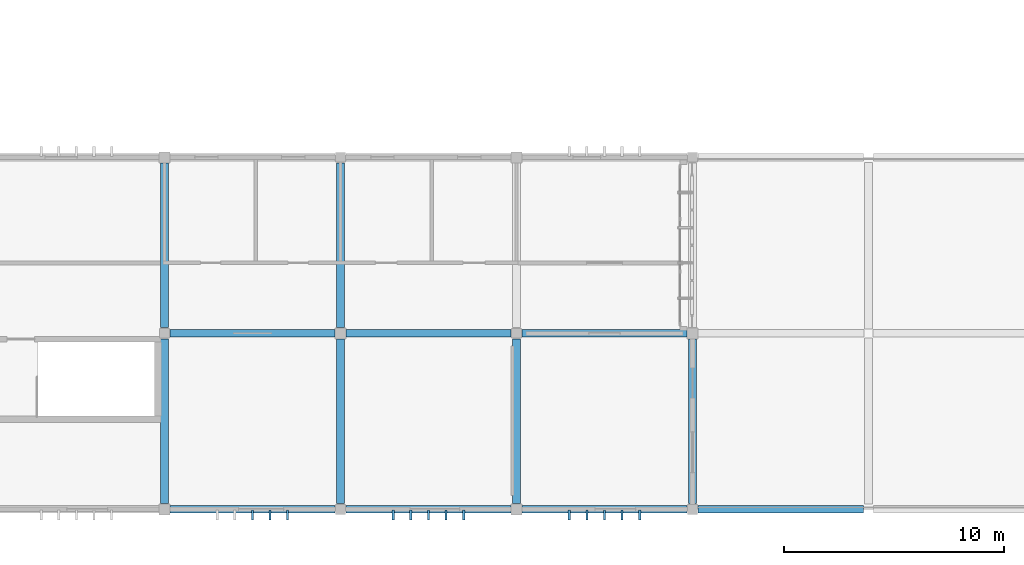
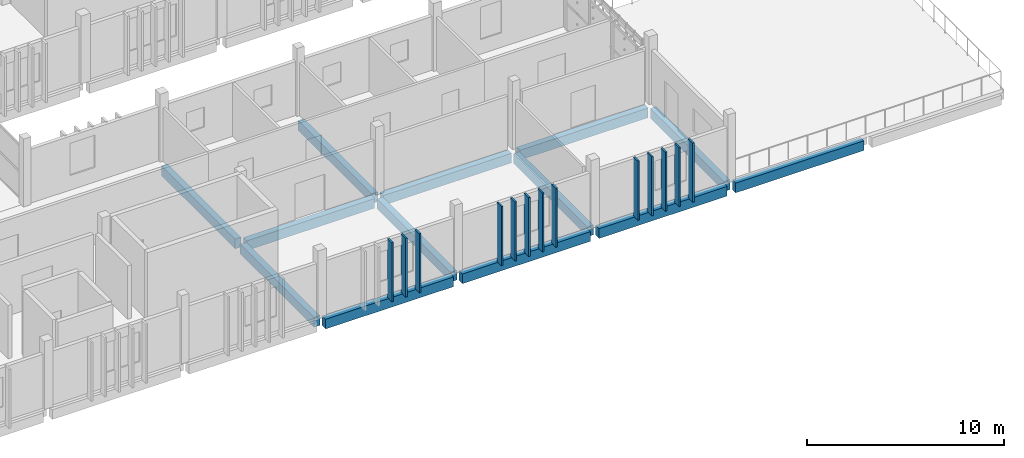
# One storey, part 11 of 32: 13 beams, 13 members.
"""IFC4 building model written with IfcOpenShell, lengths in metres."""

from ifc_helpers import new_model, si_unit, direction, frame, origin, origin_2d, place, context, subcontext, project, spatial, rectangle, extrude, material, material_profile, profile_set, type_object, element, save


model = new_model("IFC4")

# Units and contexts
model_context = context("Model", 3, precision=1e-05, world=origin(), true_north=direction((0.0, 1.0)))
body_context = subcontext(model_context, "Body", "Model", "MODEL_VIEW")
ifc_project = project(units=[si_unit("LENGTHUNIT", "METRE"), si_unit("AREAUNIT", "SQUARE_METRE"), si_unit("VOLUMEUNIT", "CUBIC_METRE"), si_unit("PLANEANGLEUNIT", "RADIAN"), si_unit("MASSUNIT", "GRAM", prefix="KILO")], contexts=[model_context])

# Site, building, storey
site_placement = place(None, origin())
site = spatial("IfcSite", under=ifc_project, at=site_placement, CompositionType="ELEMENT")
building_placement = place(site_placement, origin())
building = spatial("IfcBuilding", under=site, at=building_placement, Name="Jelvoka-Kovrelna Polytechnic", CompositionType="ELEMENT")
storey_placement = place(building_placement, frame((0.0, 0.0, 26.39990234375)))
storey = spatial("IfcBuildingStorey", under=building, at=storey_placement, Name="L07", CompositionType="ELEMENT", Elevation=26.39990234375)

# Beams
ifc_material_1 = material(Name="Concrete C35/45", Category="concrete")
ifc_material_profile_1 = material_profile(ifc_material_1, rectangle(XDim=0.35009765625, YDim=0.60009765625, at=origin_2d()), Name="RC 350x600")
ifc_profile_set_1 = profile_set([ifc_material_profile_1], Name="Concrete C35/45")
beam_type_1 = type_object("IfcBeamType", Name="Beam_RC_350x600", PredefinedType="BEAM", material=ifc_profile_set_1)
for number, where, z_axis, x_axis, name in (
    (1, (160.2548828125, 40.0, -0.539794921875), (1.0, 0.0, 0.0), (0.0, 1.0, 0.0), "L07 beam 1801"),
    (2, (168.2548828125, 40.0, -0.539794921875), (1.0, 0.0, 0.0), (0.0, 1.0, 0.0), "L07 beam 1802"),
    (3, (176.2548828125, 40.0, -0.539794921875), (1.0, 0.0, 0.0), (0.0, 1.0, 0.0), "L07 beam 1803"),
    (4, (160.0, 32.2548828125, -0.539794921875), (0.0, 1.0, 0.0), (-1.0, 0.0, 0.0), "L07 beam 1819"),
    (5, (160.0, 40.2548828125, -0.539794921875), (0.0, 1.0, 0.0), (-1.0, 0.0, 0.0), "L07 beam 1820"),
    (6, (168.0, 32.2548828125, -0.539794921875), (0.0, 1.0, 0.0), (-1.0, 0.0, 0.0), "L07 beam 1821"),
    (7, (168.0, 40.2548828125, -0.539794921875), (0.0, 1.0, 0.0), (-1.0, 0.0, 0.0), "L07 beam 1822"),
    (8, (176.0, 32.2548828125, -0.539794921875), (0.0, 1.0, 0.0), (-1.0, 0.0, 0.0), "L07 beam 1823"),
    (9, (184.0, 32.2548828125, -0.539794921875), (0.0, 1.0, 0.0), (-1.0, 0.0, 0.0), "L07 beam 1825"),
):
    element("IfcBeam", number, at=place(storey_placement, frame(where, z_axis=z_axis, x_axis=x_axis)), inside=storey, type_object=beam_type_1, Name=name, PredefinedType="BEAM", context=body_context, shape_type="SweptSolid", body=[
        extrude(rectangle(XDim=0.35009765625, YDim=0.60009765625, at=origin_2d()), origin(), (0.0, 0.0, 1.0), 7.490234375),
    ])

# Members
ifc_material_2 = material(Name="Precast concrete C40/50", Category="concrete")
ifc_material_profile_2 = material_profile(ifc_material_2, rectangle(XDim=0.10009765625, YDim=0.449951171875, at=origin_2d()), Name="PC 100x450")
ifc_profile_set_2 = profile_set([ifc_material_profile_2], Name="Precast concrete C40/50")
member_type = type_object("IfcMemberType", Name="Louvre_Fin_100x450", PredefinedType="USERDEFINED", material=ifc_profile_set_2)
for number, where, z_axis, x_axis, name in (
    (10, (164.0, 31.735107421875, -0.27001953125), (0.0, 0.0, 1.0), (1.0, 0.0, 0.0), "L07 B2E south vertical solar louvre fin 1188"),
    (11, (164.800048828125, 31.735107421875, -0.27001953125), (0.0, 0.0, 1.0), (1.0, 0.0, 0.0), "L07 B2E south vertical solar louvre fin 1189"),
    (12, (165.60009765625, 31.735107421875, -0.27001953125), (0.0, 0.0, 1.0), (1.0, 0.0, 0.0), "L07 B2E south vertical solar louvre fin 1190"),
    (13, (170.39990234375, 31.735107421875, -0.27001953125), (0.0, 0.0, 1.0), (1.0, 0.0, 0.0), "L07 B2E south vertical solar louvre fin 1191"),
    (14, (171.199951171875, 31.735107421875, -0.27001953125), (0.0, 0.0, 1.0), (1.0, 0.0, 0.0), "L07 B2E south vertical solar louvre fin 1192"),
    (15, (172.0, 31.735107421875, -0.27001953125), (0.0, 0.0, 1.0), (1.0, 0.0, 0.0), "L07 B2E south vertical solar louvre fin 1193"),
    (16, (172.800048828125, 31.735107421875, -0.27001953125), (0.0, 0.0, 1.0), (1.0, 0.0, 0.0), "L07 B2E south vertical solar louvre fin 1194"),
    (17, (173.60009765625, 31.735107421875, -0.27001953125), (0.0, 0.0, 1.0), (1.0, 0.0, 0.0), "L07 B2E south vertical solar louvre fin 1195"),
    (18, (178.39990234375, 31.735107421875, -0.27001953125), (0.0, 0.0, 1.0), (1.0, 0.0, 0.0), "L07 B2E south vertical solar louvre fin 1196"),
    (19, (179.199951171875, 31.735107421875, -0.27001953125), (0.0, 0.0, 1.0), (1.0, 0.0, 0.0), "L07 B2E south vertical solar louvre fin 1197"),
    (20, (180.0, 31.735107421875, -0.27001953125), (0.0, 0.0, 1.0), (1.0, 0.0, 0.0), "L07 B2E south vertical solar louvre fin 1198"),
    (21, (180.800048828125, 31.735107421875, -0.27001953125), (0.0, 0.0, 1.0), (1.0, 0.0, 0.0), "L07 B2E south vertical solar louvre fin 1199"),
    (22, (181.60009765625, 31.735107421875, -0.27001953125), (0.0, 0.0, 1.0), (1.0, 0.0, 0.0), "L07 B2E south vertical solar louvre fin 1200"),
):
    element("IfcMember", number, at=place(storey_placement, frame(where, z_axis=z_axis, x_axis=x_axis)), inside=storey, type_object=member_type, Name=name, ObjectType="SUNSHADE", PredefinedType="USERDEFINED", context=body_context, shape_type="SweptSolid", body=[
        extrude(rectangle(XDim=0.10009765625, YDim=0.449951171875, at=origin_2d()), origin(), (0.0, 0.0, 1.0), 3.655029296875),
    ])

# Beams
ifc_material_3 = material(Name="Concrete C40/50", Category="concrete")
ifc_material_profile_3 = material_profile(ifc_material_3, rectangle(XDim=0.35009765625, YDim=0.60009765625, at=origin_2d()), Name="RC 350x600")
ifc_profile_set_3 = profile_set([ifc_material_profile_3], Name="Concrete C40/50")
beam_type_2 = type_object("IfcBeamType", Name="Spandrel_RC_350x600", PredefinedType="SPANDREL", material=ifc_profile_set_3)
for number, where, z_axis, x_axis, name in (
    (23, (160.2548828125, 32.0, -0.539794921875), (1.0, 0.0, 0.0), (0.0, 1.0, 0.0), "L07 beam 1795"),
    (24, (168.2548828125, 32.0, -0.539794921875), (1.0, 0.0, 0.0), (0.0, 1.0, 0.0), "L07 beam 1796"),
    (25, (176.2548828125, 32.0, -0.539794921875), (1.0, 0.0, 0.0), (0.0, 1.0, 0.0), "L07 beam 1797"),
):
    element("IfcBeam", number, at=place(storey_placement, frame(where, z_axis=z_axis, x_axis=x_axis)), inside=storey, type_object=beam_type_2, Name=name, PredefinedType="SPANDREL", context=body_context, shape_type="SweptSolid", body=[
        extrude(rectangle(XDim=0.35009765625, YDim=0.60009765625, at=origin_2d()), origin(), (0.0, 0.0, 1.0), 7.490234375),
    ])
beam_placement = place(storey_placement, frame((184.2548828125, 32.0, -0.52001953125), z_axis=(1.0, 0.0, 0.0), x_axis=(0.0, 1.0, 0.0)))
element("IfcBeam", 26, at=beam_placement, inside=storey, type_object=beam_type_2, Name="L07 beam 1903", PredefinedType="SPANDREL", context=body_context, shape_type="SweptSolid", body=[
    extrude(rectangle(XDim=0.35009765625, YDim=0.60009765625, at=origin_2d()), origin(), (0.0, 0.0, 1.0), 7.51513671875),
])

save(model, "model.ifc")
